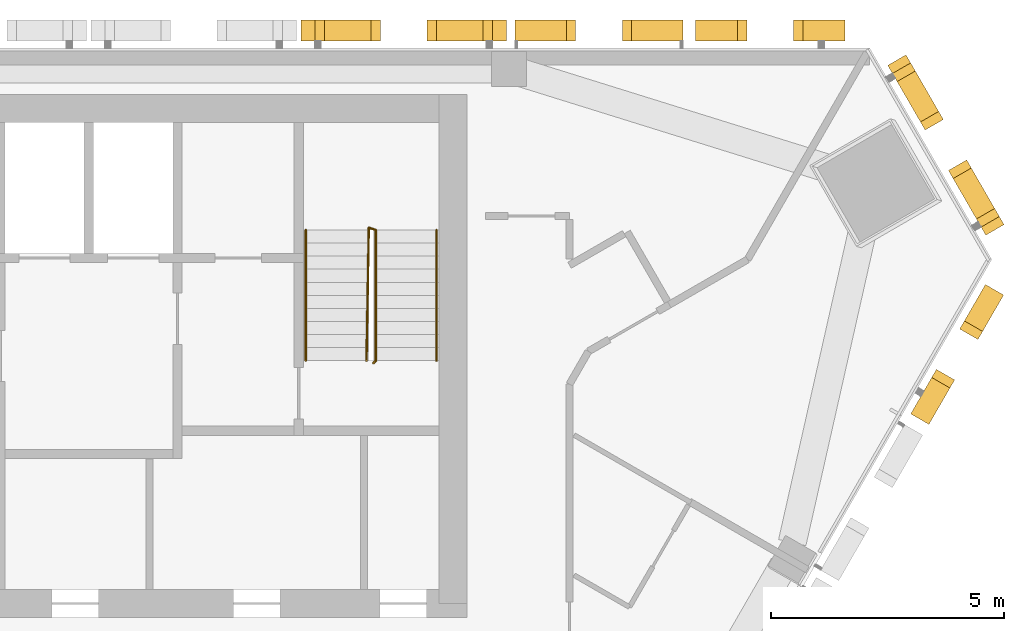
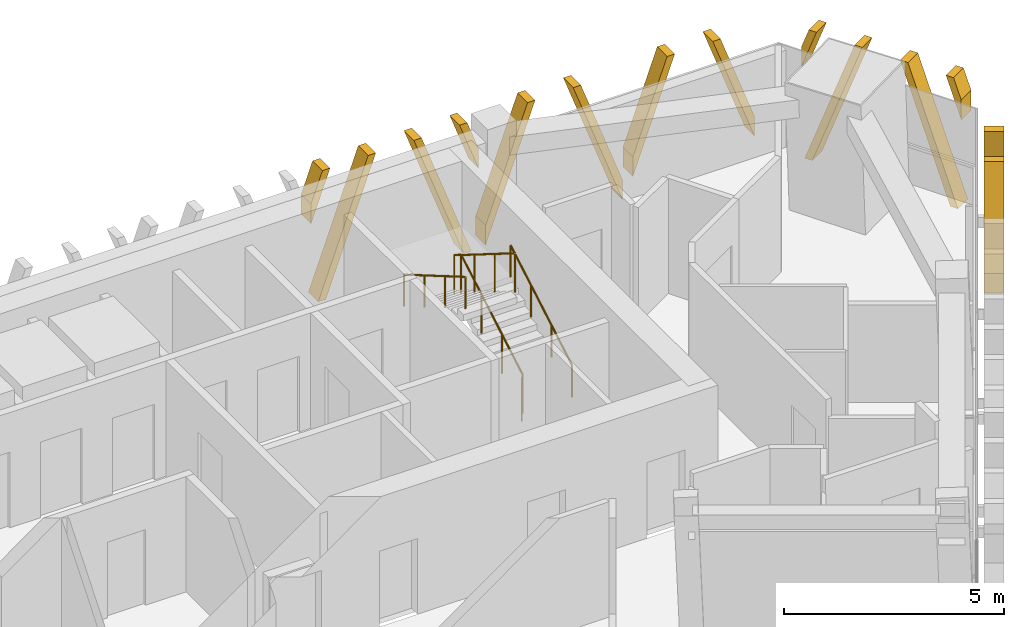
# One storey, part 14 of 15: 5 shading devices, 3 railings.
"""IFC4 building model written with IfcOpenShell, lengths in metres."""

from ifc_helpers import new_model, si_unit, direction, frame, origin, origin_2d, place, context, subcontext, project, spatial, polyline, circle, outline, extrude, source, transform, mapped, material, type_object, element, save


model = new_model("IFC4")

# Units and contexts
model_context = context("Model", 3, precision=1e-05, world=origin(), true_north=direction((0.0, 1.0)))
body_context = subcontext(model_context, "Body", "Model", "MODEL_VIEW")
ifc_project = project(units=[si_unit("LENGTHUNIT", "METRE"), si_unit("AREAUNIT", "SQUARE_METRE"), si_unit("VOLUMEUNIT", "CUBIC_METRE"), si_unit("PLANEANGLEUNIT", "RADIAN"), si_unit("MASSUNIT", "GRAM", prefix="KILO")], contexts=[model_context])

# Site, building, storey
site_placement = place(None, origin())
site = spatial("IfcSite", under=ifc_project, at=site_placement, CompositionType="ELEMENT")
building_placement = place(site_placement, origin())
building = spatial("IfcBuilding", under=site, at=building_placement, Name="Altiplano Prism Tower", CompositionType="ELEMENT")
storey_placement = place(building_placement, frame((0.0, 0.0, 250.0)))
storey = spatial("IfcBuildingStorey", under=building, at=storey_placement, Name="L64", CompositionType="ELEMENT", Elevation=250.0)

# Railings
ifc_material_1 = material(Name="Steel S355", Category="steel")
railing_type_1 = type_object("IfcRailingType", Name="Stair guard 1100", PredefinedType="GUARDRAIL", material=ifc_material_1)
railing_1_placement = place(storey_placement, frame((95.60009765625, 98.25, 0.0)))
element("IfcRailing", 1, at=railing_1_placement, inside=storey, type_object=railing_type_1, Name="L64 ST2 stair guard 1", PredefinedType="GUARDRAIL", context=body_context, shape_type="SweptSolid", body=[
    extrude(circle(Radius=0.02392578125, at=origin_2d()), frame((0.0, 0.0, 1.076171875), z_axis=(0.279546231943, 0.280916556609, 0.91811752648), x_axis=(-0.708833529934, 0.705375805398, 0.0)), (0.0, 0.0, 1.0), 0.17822265625),
    extrude(circle(Radius=0.02392578125, at=origin_2d()), frame((0.0498046875, 0.050048828125, 1.23974609375), z_axis=(0.0, 0.863360870873, 0.504586966384), x_axis=(-1.0, 0.0, 0.0)), (0.0, 0.0, 1.0), 3.2431640625),
    extrude(circle(Radius=0.02392578125, at=origin_2d()), frame((0.0498046875, 2.85009765625, 2.8759765625), z_axis=(-0.948991962702, 0.315300261223, 0.0), x_axis=(-0.315300261223, -0.948991962702, 0.0)), (0.0, 0.0, 1.0), 0.157958984375),
    extrude(circle(Radius=0.02392578125, at=origin_2d()), frame((-0.10009765625, 2.89990234375, 2.8759765625), z_axis=(-0.014846418356, -0.845376787675, 0.533964109957), x_axis=(0.999845825584, -0.017559187376, 0.0)), (0.0, 0.0, 1.0), 3.37109375),
    extrude(circle(Radius=0.02099609375, at=origin_2d()), origin(), (0.0, 0.0, 1.0), 1.052001953125),
    extrude(circle(Radius=0.02099609375, at=origin_2d()), frame((0.0498046875, 0.050048828125, 0.16357421875)), (0.0, 0.0, 1.0), 1.052001953125),
    extrude(circle(Radius=0.02099609375, at=origin_2d()), frame((0.0498046875, 0.9833984375, 0.708984375)), (0.0, 0.0, 1.0), 1.052001953125),
    extrude(circle(Radius=0.02099609375, at=origin_2d()), frame((0.0498046875, 1.916748046875, 1.254638671875)), (0.0, 0.0, 1.0), 1.052001953125),
    extrude(circle(Radius=0.02099609375, at=origin_2d()), frame((0.0498046875, 2.85009765625, 1.800048828125)), (0.0, 0.0, 1.0), 1.052001953125),
    extrude(circle(Radius=0.02099609375, at=origin_2d()), frame((-0.10009765625, 2.89990234375, 1.800048828125)), (0.0, 0.0, 1.0), 1.052001953125),
    extrude(circle(Radius=0.02099609375, at=origin_2d()), frame((-0.11669921875, 1.949951171875, 2.400146484375)), (0.0, 0.0, 1.0), 1.052001953125),
    extrude(circle(Radius=0.02099609375, at=origin_2d()), frame((-0.133544921875, 1.0, 3.0)), (0.0, 0.0, 1.0), 1.052001953125),
    extrude(circle(Radius=0.02099609375, at=origin_2d()), frame((-0.150146484375, 0.050048828125, 3.60009765625)), (0.0, 0.0, 1.0), 1.052001953125),
])
railing_type_2 = type_object("IfcRailingType", Name="Stair handrail 900", PredefinedType="HANDRAIL", material=ifc_material_1)
railing_2_placement = place(storey_placement, frame((96.949951171875, 98.300048828125, 0.16357421875)))
element("IfcRailing", 2, at=railing_2_placement, inside=storey, type_object=railing_type_2, Name="L64 ST2 stair handrail 1", PredefinedType="HANDRAIL", context=body_context, shape_type="SweptSolid", body=[
    extrude(circle(Radius=0.02392578125, at=origin_2d()), frame((0.0, 0.0, 0.8759765625), z_axis=(0.0, 0.863360870873, 0.504586966384), x_axis=(-1.0, 0.0, 0.0)), (0.0, 0.0, 1.0), 3.2431640625),
    extrude(circle(Radius=0.02099609375, at=origin_2d()), origin(), (0.0, 0.0, 1.0), 0.851806640625),
    extrude(circle(Radius=0.02099609375, at=origin_2d()), frame((0.0, 0.933349609375, 0.54541015625)), (0.0, 0.0, 1.0), 0.851806640625),
    extrude(circle(Radius=0.02099609375, at=origin_2d()), frame((0.0, 1.86669921875, 1.091064453125)), (0.0, 0.0, 1.0), 0.851806640625),
    extrude(circle(Radius=0.02099609375, at=origin_2d()), frame((0.0, 2.800048828125, 1.636474609375)), (0.0, 0.0, 1.0), 0.851806640625),
])
railing_3_placement = place(storey_placement, frame((94.14990234375, 101.10009765625, 1.963623046875)))
element("IfcRailing", 3, at=railing_3_placement, inside=storey, type_object=railing_type_2, Name="L64 ST2 stair handrail 2", PredefinedType="HANDRAIL", context=body_context, shape_type="SweptSolid", body=[
    extrude(circle(Radius=0.02392578125, at=origin_2d()), frame((0.0, 0.0, 0.8759765625), z_axis=(0.0, -0.863360870873, 0.504586966384), x_axis=(1.0, 0.0, 0.0)), (0.0, 0.0, 1.0), 3.2431640625),
    extrude(circle(Radius=0.02099609375, at=origin_2d()), origin(), (0.0, 0.0, 1.0), 0.851806640625),
    extrude(circle(Radius=0.02099609375, at=origin_2d()), frame((0.0, -0.933349609375, 0.54541015625)), (0.0, 0.0, 1.0), 0.851806640625),
    extrude(circle(Radius=0.02099609375, at=origin_2d()), frame((0.0, -1.86669921875, 1.091064453125)), (0.0, 0.0, 1.0), 0.851806640625),
    extrude(circle(Radius=0.02099609375, at=origin_2d()), frame((0.0, -2.800048828125, 1.636474609375)), (0.0, 0.0, 1.0), 0.851806640625),
])

# Shading devices
ifc_material_2 = material(Name="Warm limestone cast stone", Category="masonry")
shading_device_type_1 = type_object("IfcShadingDeviceType", Name="Stone fin panel, narrow closing bay", PredefinedType="USERDEFINED", material=ifc_material_2)
shared_shape_1 = source(origin(), body_context, "Body", "SweptSolid", [
    extrude(outline(polyline([(-1.60009765625, 0.577880859375), (-0.5, 3.60009765625), (-0.699951171875, 3.60009765625), (-1.60009765625, 1.127197265625), (-1.60009765625, 0.577880859375)])), frame((0.0, -0.14990234375, 0.0), z_axis=(0.0, -1.0, 0.0), x_axis=(1.0, 0.0, 0.0)), (0.0, 0.0, 1.0), 0.4501953125),
    extrude(outline(polyline([(1.60009765625, 1.127197265625), (0.699951171875, 3.60009765625), (0.5, 3.60009765625), (1.60009765625, 0.577880859375), (1.60009765625, 1.127197265625)])), frame((0.0, -0.14990234375, 0.0), z_axis=(0.0, -1.0, 0.0), x_axis=(1.0, 0.0, 0.0)), (0.0, 0.0, 1.0), 0.4501953125),
])
shading_device_1_placement = place(storey_placement, origin())
element("IfcShadingDevice", 4, at=shading_device_1_placement, inside=storey, type_object=shading_device_type_1, Name="Fin L64 north face 1", ObjectType="FIN", PredefinedType="USERDEFINED", context=body_context, shape_type="MappedRepresentation", body=[
    mapped(shared_shape_1, transform((104.098388671875, 105.0, -0.39990234375), x_axis=(-1.0, 0.0, 0.0), y_axis=(0.0, -1.0, 0.0), z_axis=(0.0, 0.0, 1.0))),
])
shading_device_2_placement = place(storey_placement, origin())
element("IfcShadingDevice", 5, at=shading_device_2_placement, inside=storey, type_object=shading_device_type_1, Name="Fin L64 south-east face 10", ObjectType="FIN", PredefinedType="USERDEFINED", context=body_context, shape_type="MappedRepresentation", body=[
    mapped(shared_shape_1, transform((107.78076171875, 98.621826171875, -0.39990234375), x_axis=(0.499999999907, 0.866025403838, 0.0), y_axis=(-0.866025403838, 0.499999999907, 0.0), z_axis=(0.0, 0.0, 1.0))),
])
shading_device_type_2 = type_object("IfcShadingDeviceType", Name="Stone fin panel, standard unit", PredefinedType="USERDEFINED", material=ifc_material_2)
shared_shape_2 = source(origin(), body_context, "Body", "SweptSolid", [
    extrude(outline(polyline([(-2.199951171875, 2.226318359375), (-1.699951171875, 3.60009765625), (-1.89990234375, 3.60009765625), (-2.199951171875, 2.77587890625), (-2.199951171875, 2.226318359375)])), frame((0.0, -0.14990234375, 0.0), z_axis=(0.0, -1.0, 0.0), x_axis=(1.0, 0.0, 0.0)), (0.0, 0.0, 1.0), 0.4501953125),
    extrude(outline(polyline([(-2.01025390625, 0.0), (-1.810302734375, 0.0), (-0.5, 3.60009765625), (-0.699951171875, 3.60009765625), (-2.01025390625, 0.0)])), frame((0.0, -0.14990234375, 0.0), z_axis=(0.0, -1.0, 0.0), x_axis=(1.0, 0.0, 0.0)), (0.0, 0.0, 1.0), 0.4501953125),
    extrude(outline(polyline([(1.810302734375, 0.0), (2.01025390625, 0.0), (0.699951171875, 3.60009765625), (0.5, 3.60009765625), (1.810302734375, 0.0)])), frame((0.0, -0.14990234375, 0.0), z_axis=(0.0, -1.0, 0.0), x_axis=(1.0, 0.0, 0.0)), (0.0, 0.0, 1.0), 0.4501953125),
    extrude(outline(polyline([(2.199951171875, 2.77587890625), (1.89990234375, 3.60009765625), (1.699951171875, 3.60009765625), (2.199951171875, 2.226318359375), (2.199951171875, 2.77587890625)])), frame((0.0, -0.14990234375, 0.0), z_axis=(0.0, -1.0, 0.0), x_axis=(1.0, 0.0, 0.0)), (0.0, 0.0, 1.0), 0.4501953125),
])
shading_device_3_placement = place(storey_placement, origin())
element("IfcShadingDevice", 6, at=shading_device_3_placement, inside=storey, type_object=shading_device_type_2, Name="Fin L64 north face 3", ObjectType="FIN", PredefinedType="USERDEFINED", context=body_context, shape_type="MappedRepresentation", body=[
    mapped(shared_shape_2, transform((96.25, 105.0, -0.39990234375), x_axis=(-1.0, 0.0, 0.0), y_axis=(0.0, -1.0, 0.0), z_axis=(0.0, 0.0, 1.0))),
])
shared_shape_3 = source(origin(), body_context, "Body", "SweptSolid", [
    extrude(outline(polyline([(-1.800048828125, 0.0283203125), (-0.5, 3.60009765625), (-0.699951171875, 3.60009765625), (-1.800048828125, 0.577880859375), (-1.800048828125, 0.0283203125)])), frame((0.0, -0.14990234375, 0.0), z_axis=(0.0, -1.0, 0.0), x_axis=(1.0, 0.0, 0.0)), (0.0, 0.0, 1.0), 0.4501953125),
    extrude(outline(polyline([(1.800048828125, 0.577880859375), (0.699951171875, 3.60009765625), (0.5, 3.60009765625), (1.800048828125, 0.0283203125), (1.800048828125, 0.577880859375)])), frame((0.0, -0.14990234375, 0.0), z_axis=(0.0, -1.0, 0.0), x_axis=(1.0, 0.0, 0.0)), (0.0, 0.0, 1.0), 0.4501953125),
])
shading_device_4_placement = place(storey_placement, origin())
element("IfcShadingDevice", 7, at=shading_device_4_placement, inside=storey, type_object=shading_device_type_1, Name="Fin L64 north face 2", ObjectType="FIN", PredefinedType="USERDEFINED", context=body_context, shape_type="MappedRepresentation", body=[
    mapped(shared_shape_3, transform((100.432861328125, 105.0, -0.39990234375), x_axis=(-1.0, 0.0, 0.0), y_axis=(0.0, -1.0, 0.0), z_axis=(0.0, 0.0, 1.0))),
])
shading_device_type_3 = type_object("IfcShadingDeviceType", Name="Stone fin panel, chamfer unit", PredefinedType="USERDEFINED", material=ifc_material_2)
shared_shape_4 = source(origin(), body_context, "Body", "SweptSolid", [
    extrude(outline(polyline([(-2.10009765625, 2.5009765625), (-1.699951171875, 3.60009765625), (-1.89990234375, 3.60009765625), (-2.10009765625, 3.050537109375), (-2.10009765625, 2.5009765625)])), frame((0.0, -0.14990234375, 0.0), z_axis=(0.0, -1.0, 0.0), x_axis=(1.0, 0.0, 0.0)), (0.0, 0.0, 1.0), 0.4501953125),
    extrude(outline(polyline([(-2.01025390625, 0.0), (-1.810302734375, 0.0), (-0.5, 3.60009765625), (-0.699951171875, 3.60009765625), (-2.01025390625, 0.0)])), frame((0.0, -0.14990234375, 0.0), z_axis=(0.0, -1.0, 0.0), x_axis=(1.0, 0.0, 0.0)), (0.0, 0.0, 1.0), 0.4501953125),
    extrude(outline(polyline([(1.810302734375, 0.0), (2.01025390625, 0.0), (0.699951171875, 3.60009765625), (0.5, 3.60009765625), (1.810302734375, 0.0)])), frame((0.0, -0.14990234375, 0.0), z_axis=(0.0, -1.0, 0.0), x_axis=(1.0, 0.0, 0.0)), (0.0, 0.0, 1.0), 0.4501953125),
    extrude(outline(polyline([(2.10009765625, 3.050537109375), (1.89990234375, 3.60009765625), (1.699951171875, 3.60009765625), (2.10009765625, 2.5009765625), (2.10009765625, 3.050537109375)])), frame((0.0, -0.14990234375, 0.0), z_axis=(0.0, -1.0, 0.0), x_axis=(1.0, 0.0, 0.0)), (0.0, 0.0, 1.0), 0.4501953125),
])
shading_device_5_placement = place(storey_placement, origin())
element("IfcShadingDevice", 8, at=shading_device_5_placement, inside=storey, type_object=shading_device_type_3, Name="Fin L64 north-east chamfer 1", ObjectType="FIN", PredefinedType="USERDEFINED", context=body_context, shape_type="MappedRepresentation", body=[
    mapped(shared_shape_4, transform((107.5390625, 102.734375, -0.39990234375), x_axis=(-0.50000001892, 0.866025392861, 0.0), y_axis=(-0.866025392861, -0.50000001892, 0.0), z_axis=(0.0, 0.0, 1.0))),
])

save(model, "model.ifc")
